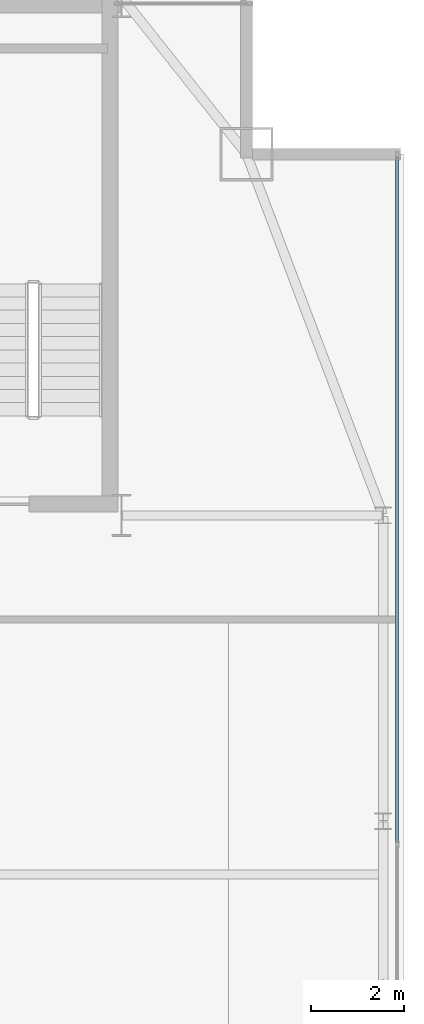
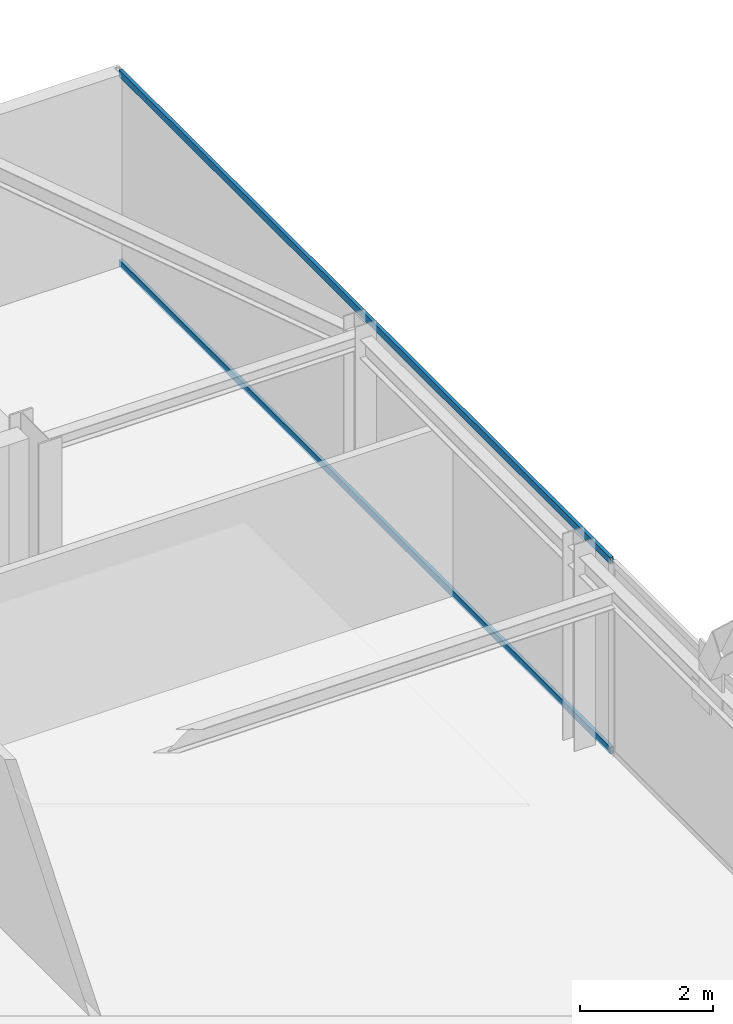
# One storey, part 17 of 27: 2 members, 1 element without a shape of its own.
"""IFC4 building model written with IfcOpenShell, lengths in metres."""

import ifcopenshell
import ifcopenshell.guid

model = None  # the IFC model being written
_history = None  # IfcOwnerHistory: only IFC2X3 demands one
_inside = {}  # id of a spatial element -> (the spatial element, [elements in it])
_under = {}  # id of a project, library or spatial element -> (it, [spatial elements below it])
_declared = {}  # id of a project -> (the project, [libraries it declares])
_typed = {}  # id of a type object -> (the type object, [elements of that type])
_made_of = {}  # id of a material, layer set ... -> (it, [elements and type objects made of it])


def new_model(schema):
    """Start an empty IFC model of exactly this schema.

    Asked for "IFC4X3", IfcOpenShell would pick the latest addendum, in which some entities
    have other attributes; the version numbers below select the first issue.
    IFC2X3 requires an IfcOwnerHistory on every rooted entity: one is made here for all.
    """
    global model, _history
    if schema == "IFC4X3":
        model = ifcopenshell.file(schema_version=(4, 3, 0, 0))
    else:
        model = ifcopenshell.file(schema=schema)
    _inside.clear()
    _under.clear()
    _declared.clear()
    _typed.clear()
    _made_of.clear()
    _history = None
    if model.schema == "IFC2X3":
        org = make("IfcOrganization", Name="unknown")
        user = make(
            "IfcPersonAndOrganization",
            ThePerson=make("IfcPerson", FamilyName="unknown"),
            TheOrganization=org,
        )
        app = make(
            "IfcApplication",
            ApplicationDeveloper=org,
            Version="unknown",
            ApplicationFullName="unknown",
            ApplicationIdentifier="unknown",
        )
        _history = make(
            "IfcOwnerHistory",
            OwningUser=user,
            OwningApplication=app,
            ChangeAction="ADDED",
            CreationDate=0,
        )
    return model


def make(cls, **values):
    """One entity of the class cls with the attributes given. An attribute that is None is left unset."""
    return model.create_entity(
        cls, **{name: value for name, value in values.items() if value is not None}
    )


def rooted(cls, **values):
    """An entity with a GlobalId (a new one), such as an element, a storey or a relation."""
    return make(cls, GlobalId=ifcopenshell.guid.new(), OwnerHistory=_history, **values)


def si_unit(unit_type, name, prefix=None):
    """IfcSIUnit, for example si_unit("LENGTHUNIT", "METRE", prefix="MILLI")."""
    return make("IfcSIUnit", UnitType=unit_type, Prefix=prefix, Name=name)


def assignment(units):
    """IfcUnitAssignment: the units of a project."""
    return None if units is None else make("IfcUnitAssignment", Units=units)


def point(xyz):
    """IfcCartesianPoint."""
    return None if xyz is None else make("IfcCartesianPoint", Coordinates=xyz)


def direction(xyz):
    """IfcDirection."""
    return None if xyz is None else make("IfcDirection", DirectionRatios=xyz)


def frame(location, z_axis=None, x_axis=None):
    """IfcAxis2Placement3D, a coordinate frame: its origin and axes. An axis left out is left unset."""
    return make(
        "IfcAxis2Placement3D",
        Location=point(location),
        Axis=direction(z_axis),
        RefDirection=direction(x_axis),
    )


def frame_2d(location, x_axis=None):
    """IfcAxis2Placement2D, a coordinate frame in the plane: its origin and x axis."""
    return make(
        "IfcAxis2Placement2D", Location=point(location), RefDirection=direction(x_axis)
    )


def origin():
    """The frame at (0, 0, 0) with its axes left unset."""
    return frame((0.0, 0.0, 0.0))


def origin_2d():
    """The frame at (0, 0) in the plane with its x axis left unset."""
    return frame_2d((0.0, 0.0))


def place(relative_to, where):
    """IfcLocalPlacement: puts the frame where relative to a parent placement (None: the world)."""
    return make(
        "IfcLocalPlacement", PlacementRelTo=relative_to, RelativePlacement=where
    )


def context(
    kind, dimensions, precision=None, world=None, true_north=None, identifier=None
):
    """IfcGeometricRepresentationContext, for example the 3D "Model" context."""
    return make(
        "IfcGeometricRepresentationContext",
        ContextIdentifier=identifier,
        ContextType=kind,
        CoordinateSpaceDimension=dimensions,
        Precision=precision,
        WorldCoordinateSystem=world,
        TrueNorth=true_north,
    )


def subcontext(parent, identifier, kind, view, scale=None):
    """IfcGeometricRepresentationSubContext, for example "Body" below "Model"."""
    return make(
        "IfcGeometricRepresentationSubContext",
        ContextIdentifier=identifier,
        ContextType=kind,
        ParentContext=parent,
        TargetScale=scale,
        TargetView=view,
    )


def project(units=None, contexts=None):
    """IfcProject with its units and contexts."""
    return rooted(
        "IfcProject",
        Name="project",
        RepresentationContexts=contexts,
        UnitsInContext=assignment(units),
    )


def spatial(cls, under=None, at=None, **own):
    """A site, building, storey or space (cls), placed at a placement, below another one or the project."""
    s = rooted(cls, ObjectPlacement=at, **own)
    if under is not None:
        _under.setdefault(under.id(), (under, []))[1].append(s)
    return s


def profile(cls, at=None, kind="AREA", **sizes):
    """A parametric profile (cls). Its sizes go by their IFC names, for example OverallWidth=200.0."""
    return make(cls, ProfileType=kind, Position=at, **sizes)


def hollow_rectangle(**sizes):
    """IfcRectangleHollowProfileDef."""
    return profile("IfcRectangleHollowProfileDef", **sizes)


def extrude(swept, where, along, depth):
    """IfcExtrudedAreaSolid: the profile swept, set in the frame where, extruded along a direction by depth."""
    return make(
        "IfcExtrudedAreaSolid",
        SweptArea=swept,
        Position=where,
        ExtrudedDirection=direction(along),
        Depth=depth,
    )


def shape(context_of_items, identifier, shape_type, items):
    """IfcShapeRepresentation: the items that make up one representation, for example the "Body"."""
    return make(
        "IfcShapeRepresentation",
        ContextOfItems=context_of_items,
        RepresentationIdentifier=identifier,
        RepresentationType=shape_type,
        Items=items,
    )


def source(mapping_origin, context_of_items, identifier, shape_type, items):
    """IfcRepresentationMap: a shape defined once, which mapped items show again and again."""
    return make(
        "IfcRepresentationMap",
        MappingOrigin=mapping_origin,
        MappedRepresentation=shape(context_of_items, identifier, shape_type, items),
    )


def transform(
    local_origin,
    x_axis=None,
    y_axis=None,
    z_axis=None,
    scale=None,
    scale2=None,
    scale3=None,
    uniform=True,
):
    """IfcCartesianTransformationOperator3D, or its non-uniform kind. x_axis, y_axis, z_axis: its Axis1, 2, 3."""
    if uniform:
        return make(
            "IfcCartesianTransformationOperator3D",
            Axis1=direction(x_axis),
            Axis2=direction(y_axis),
            LocalOrigin=point(local_origin),
            Scale=scale,
            Axis3=direction(z_axis),
        )
    return make(
        "IfcCartesianTransformationOperator3DnonUniform",
        Axis1=direction(x_axis),
        Axis2=direction(y_axis),
        LocalOrigin=point(local_origin),
        Scale=scale,
        Axis3=direction(z_axis),
        Scale2=scale2,
        Scale3=scale3,
    )


def mapped(mapping_source, mapping_target):
    """IfcMappedItem: shows the shape of a source again, moved by a transform."""
    return make(
        "IfcMappedItem", MappingSource=mapping_source, MappingTarget=mapping_target
    )


def material(Name=None, Category=None):
    """IfcMaterial."""
    return make("IfcMaterial", Name=Name, Category=Category)


def layer(
    of_material, thickness, ventilated=None, Name=None, Category=None, Priority=None
):
    """IfcMaterialLayer: one layer of a wall or slab, of a material (None: an air gap)."""
    return make(
        "IfcMaterialLayer",
        Material=of_material,
        LayerThickness=thickness,
        IsVentilated=ventilated,
        Name=Name,
        Category=Category,
        Priority=Priority,
    )


def layer_set(layers, Name=None):
    """IfcMaterialLayerSet."""
    return make("IfcMaterialLayerSet", MaterialLayers=layers, LayerSetName=Name)


def material_profile(
    of_material, cross_section, Name=None, Category=None, Priority=None
):
    """IfcMaterialProfile: a cross section and its material."""
    return make(
        "IfcMaterialProfile",
        Name=Name,
        Material=of_material,
        Profile=cross_section,
        Priority=Priority,
        Category=Category,
    )


def profile_set(profiles, Name=None, composite=None):
    """IfcMaterialProfileSet."""
    return make(
        "IfcMaterialProfileSet",
        Name=Name,
        MaterialProfiles=profiles,
        CompositeProfile=composite,
    )


def made_of(thing, what):
    """Note that an element or type object is made of a material, layer set ...; save() writes the relation."""
    if what is not None:
        _made_of.setdefault(what.id(), (what, []))[1].append(thing)
    return thing


def type_object(cls, material=None, **own):
    """A type object (cls), such as IfcWallType, which elements share."""
    return made_of(rooted(cls, **own), material)


def type_shapes(of_type, sources):
    """Give a type object the sources (RepresentationMaps) that its elements show as mapped items."""
    of_type.RepresentationMaps = sources


def element(
    cls,
    number,
    at=None,
    inside=None,
    cuts=None,
    type_object=None,
    material=None,
    context=None,
    identifier="Body",
    shape_type=None,
    held_by="IfcProductDefinitionShape",
    body=None,
    shapes=None,
    **own,
):
    """One element of the class cls, such as IfcWall. Its Tag is "e" and its number.

    at: its placement. inside: the storey or other place that contains it. cuts: it is an
    opening in that element (IfcRelVoidsElement). A single representation is given by context,
    identifier, shape_type and body (its items); several are given by shapes. held_by: the class
    of the entity that holds the representations. save() writes the other relations.
    """
    e = rooted(cls, Tag="e%d" % number, ObjectPlacement=at, **own)
    if body is not None:
        shapes = [shape(context, identifier, shape_type, body)]
    if shapes is not None:
        e.Representation = make(held_by, Representations=shapes)
    if inside is not None:
        _inside.setdefault(inside.id(), (inside, []))[1].append(e)
    if cuts is not None:
        rooted(
            "IfcRelVoidsElement", RelatingBuildingElement=cuts, RelatedOpeningElement=e
        )
    if type_object is not None:
        _typed.setdefault(type_object.id(), (type_object, []))[1].append(e)
    return made_of(e, material)


def aggregate(whole, parts):
    """IfcRelAggregates: a whole, such as a stair, and the parts it consists of."""
    return rooted("IfcRelAggregates", RelatingObject=whole, RelatedObjects=parts)


def save(model, path):
    """Write the relations noted so far, then the file.

    IfcRelAggregates (storeys below a building ...), IfcRelContainedInSpatialStructure (elements
    in a storey), IfcRelDefinesByType, IfcRelAssociatesMaterial and IfcRelDeclares: one each for
    every whole, place, type object, material and project.
    """
    for whole, parts in _under.values():
        aggregate(whole, parts)
    for where, things in _inside.values():
        rooted(
            "IfcRelContainedInSpatialStructure",
            RelatedElements=things,
            RelatingStructure=where,
        )
    for kind, things in _typed.values():
        rooted("IfcRelDefinesByType", RelatedObjects=things, RelatingType=kind)
    for what, things in _made_of.values():
        rooted("IfcRelAssociatesMaterial", RelatedObjects=things, RelatingMaterial=what)
    for by, libraries in _declared.values():
        rooted("IfcRelDeclares", RelatingContext=by, RelatedDefinitions=libraries)
    model.write(path)


model = new_model("IFC4")

# Units and contexts
model_context = context("Model", 3, precision=1e-05, world=origin(), true_north=direction((0.0, 1.0)))
body_context = subcontext(model_context, "Body", "Model", "MODEL_VIEW")
ifc_project = project(units=[si_unit("LENGTHUNIT", "METRE"), si_unit("AREAUNIT", "SQUARE_METRE"), si_unit("VOLUMEUNIT", "CUBIC_METRE"), si_unit("PLANEANGLEUNIT", "RADIAN"), si_unit("MASSUNIT", "GRAM", prefix="KILO")], contexts=[model_context])

# Site, building, storey
site_placement = place(None, origin())
site = spatial("IfcSite", under=ifc_project, at=site_placement, CompositionType="ELEMENT")
building_placement = place(site_placement, origin())
building = spatial("IfcBuilding", under=site, at=building_placement, Name="Varnel Quay Broadcast Tower", CompositionType="ELEMENT")
storey_placement = place(building_placement, frame((0.0, 0.0, 203.60009765625)))
storey = spatial("IfcBuildingStorey", under=building, at=storey_placement, Name="L50", CompositionType="ELEMENT", Elevation=203.60009765625)

# Curtain wall, members
ifc_material = material(Name="Anodised Bronze Aluminium 6063-T6", Category="aluminium")
ifc_layer = layer(ifc_material, 0.18994140625, Name="Anodised Bronze Aluminium 6063-T6")
ifc_layer_set = layer_set([ifc_layer], Name="Anodised Bronze Aluminium 6063-T6")
curtain_wall_type = type_object("IfcCurtainWallType", Name="CW_UpperTower", PredefinedType="NOTDEFINED", material=ifc_layer_set)
curtain_wall_placement = place(storey_placement, origin())
curtain_wall = element("IfcCurtainWall", 1, at=curtain_wall_placement, inside=storey, type_object=curtain_wall_type, Name="L50 East Unitised Curtain Wall", PredefinedType="NOTDEFINED")
ifc_material_profile = material_profile(ifc_material, hollow_rectangle(XDim=0.06005859375, YDim=0.125, WallThickness=0.0029296875, at=origin_2d()), Name="ALU60X125X3")
ifc_profile_set = profile_set([ifc_material_profile], Name="Anodised Bronze Aluminium 6063-T6")
member_type = type_object("IfcMemberType", Name="Tran_CWS-03", PredefinedType="USERDEFINED", material=ifc_profile_set)
shared_shape = source(origin(), body_context, "Body", "SweptSolid", [
    extrude(hollow_rectangle(XDim=0.06005859375, YDim=0.125, WallThickness=0.0029296875, at=origin_2d()), origin(), (0.0, 0.0, 1.0), 14.802490234375),
])
type_shapes(member_type, [shared_shape])
member_1_placement = place(storey_placement, frame((58.35009765625, 28.532470703125, 0.02978515625), z_axis=(0.0, 1.0, 0.0), x_axis=(-1.0, 0.0, 0.0)))
member_1 = element("IfcMember", 2, at=member_1_placement, type_object=member_type, Name="CWS-03 transom 2.1", ObjectType="TRANSOM", PredefinedType="USERDEFINED", context=body_context, shape_type="MappedRepresentation", body=[
    mapped(shared_shape, transform((0.0, 0.0, 0.0), x_axis=(1.0, 0.0, 0.0), y_axis=(0.0, 1.0, 0.0), z_axis=(0.0, 0.0, 1.0), scale=1.0)),
])
member_2_placement = place(storey_placement, frame((58.35009765625, 28.532470703125, 3.52001953125), z_axis=(0.0, 1.0, 0.0), x_axis=(-1.0, 0.0, 0.0)))
member_2 = element("IfcMember", 3, at=member_2_placement, type_object=member_type, Name="CWS-03 transom 2.2", ObjectType="TRANSOM", PredefinedType="USERDEFINED", context=body_context, shape_type="MappedRepresentation", body=[
    mapped(shared_shape, transform((0.0, 0.0, 0.0), x_axis=(1.0, 0.0, 0.0), y_axis=(0.0, 1.0, 0.0), z_axis=(0.0, 0.0, 1.0), scale=1.0)),
])
aggregate(curtain_wall, [member_1, member_2])

save(model, "model.ifc")
